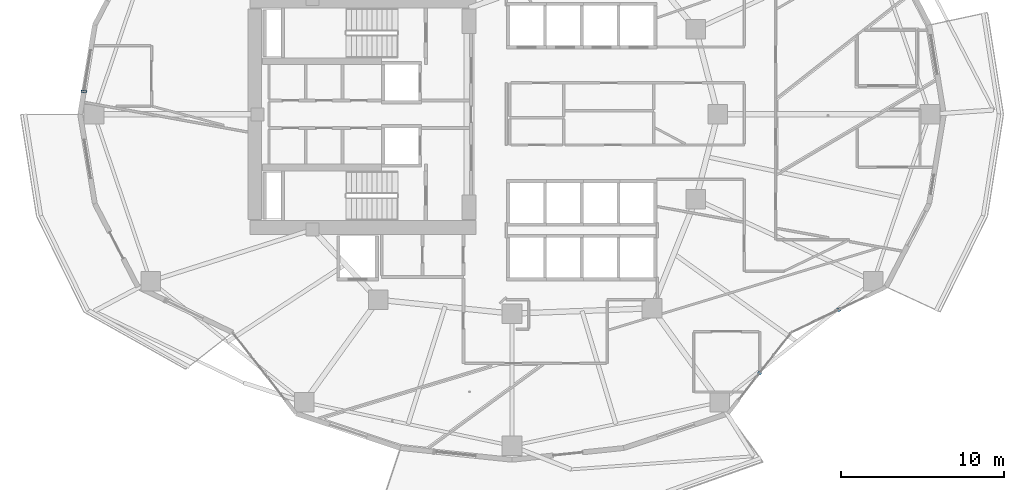
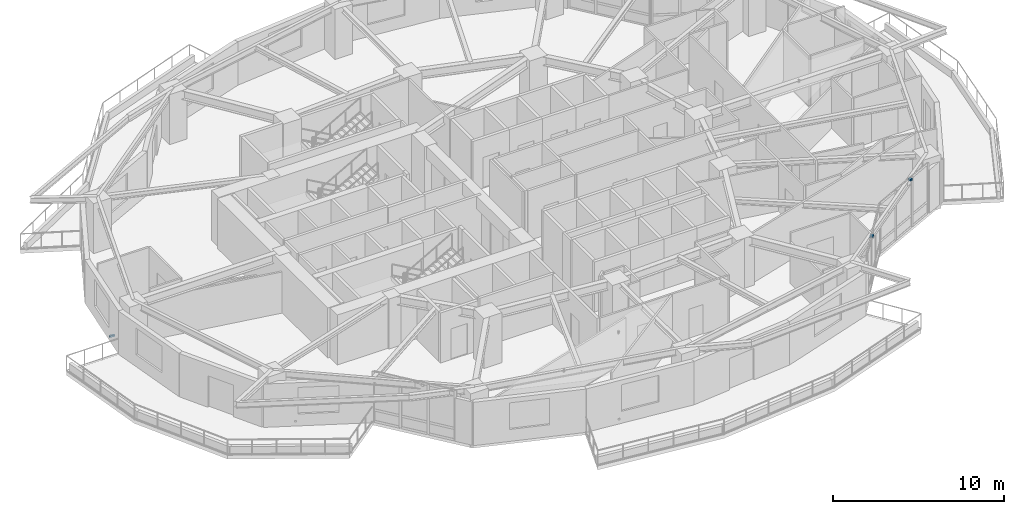
# One storey, part 15 of 19: 3 discrete accessories.
"""IFC4 building model written with IfcOpenShell, lengths in metres."""

from ifc_helpers import new_model, si_unit, direction, frame, origin, origin_2d, place, context, subcontext, project, spatial, rectangle, extrude, material, type_object, element, save


model = new_model("IFC4")

# Units and contexts
model_context = context("Model", 3, precision=1e-05, world=origin(), true_north=direction((0.0, 1.0)))
body_context = subcontext(model_context, "Body", "Model", "MODEL_VIEW")
ifc_project = project(units=[si_unit("LENGTHUNIT", "METRE"), si_unit("AREAUNIT", "SQUARE_METRE"), si_unit("VOLUMEUNIT", "CUBIC_METRE"), si_unit("PLANEANGLEUNIT", "RADIAN"), si_unit("MASSUNIT", "GRAM", prefix="KILO")], contexts=[model_context])

# Site, building, storey
site_placement = place(None, origin())
site = spatial("IfcSite", under=ifc_project, at=site_placement, CompositionType="ELEMENT")
building_placement = place(site_placement, origin())
building = spatial("IfcBuilding", under=site, at=building_placement, Name="Kolvaren Gate Tower and Convention Centre", CompositionType="ELEMENT")
storey_placement = place(building_placement, frame((0.0, 0.0, 68.85009765625)))
storey = spatial("IfcBuildingStorey", under=building, at=storey_placement, Name="L16", CompositionType="ELEMENT", Elevation=68.85009765625)

# Discrete accessories
ifc_material = material(Name="Anodized Architectural Aluminium Alloy 6063-T6", Category="aluminium")
discrete_accessory_type = type_object("IfcDiscreteAccessoryType", Name="ARCH-ACC-BRACKET-120", PredefinedType="BRACKET", material=ifc_material)
discrete_accessory_placement = place(storey_placement, frame((3.9169921875, 28.395263671875, 0.289794921875), z_axis=(0.0, 0.0, 1.0), x_axis=(0.162375401515, 0.986729055508, 0.0)))
element("IfcDiscreteAccessory", 1, at=discrete_accessory_placement, inside=storey, type_object=discrete_accessory_type, Name="Ceramic Fin Wall Anchor Bracket FBK-L16-11", PredefinedType="BRACKET", context=body_context, shape_type="SweptSolid", body=[
    extrude(rectangle(XDim=0.1201171875, YDim=0.320068359375, at=origin_2d()), origin(), (0.0, 0.0, 1.0), 0.1201171875),
])
for number, where, z_axis, x_axis, name in (
    (2, (45.283935546875, 11.161865234375, 3.389892578125), (0.0, 0.0, 1.0), (0.616431370541, 0.787408639407, 0.0), "Solar Screen Spandrel Anchor Bracket BK-L16-20"),
    (3, (50.122314453125, 15.032470703125, 3.389892578125), (0.0, 0.0, 1.0), (0.901357634097, 0.433075530889, 0.0), "Solar Screen Spandrel Anchor Bracket BK-L16-21"),
):
    element("IfcDiscreteAccessory", number, at=place(storey_placement, frame(where, z_axis=z_axis, x_axis=x_axis)), inside=storey, type_object=discrete_accessory_type, Name=name, PredefinedType="BRACKET", context=body_context, shape_type="SweptSolid", body=[
        extrude(rectangle(XDim=0.179931640625, YDim=0.219970703125, at=origin_2d()), origin(), (0.0, 0.0, 1.0), 0.1201171875),
    ])

save(model, "model.ifc")
